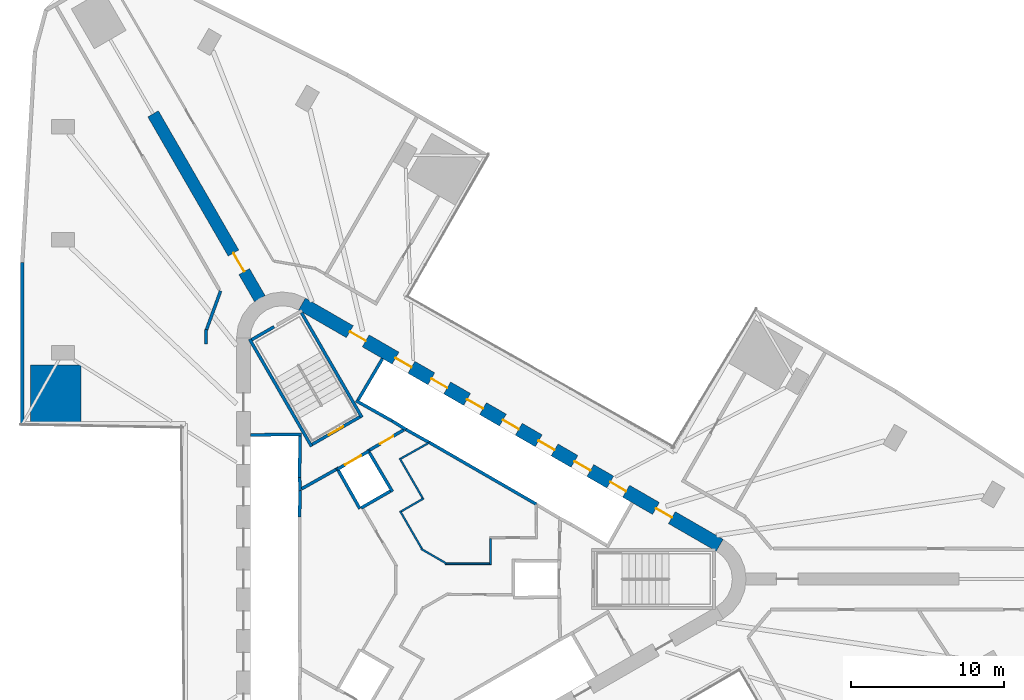
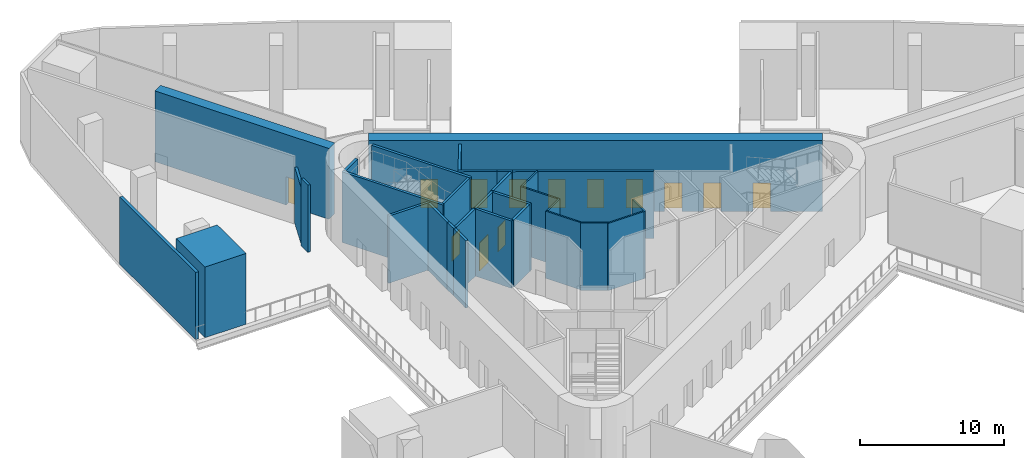
# One storey, part 5 of 11: 32 walls, 13 doors, 13 openings.
"""IFC4 building model written with IfcOpenShell, lengths in metres."""

from ifc_helpers import new_model, si_unit, direction, frame, frame_2d, origin, place, context, subcontext, project, spatial, polyline, rectangle, outline, extrude, material, layer, layer_set, type_object, element, fill, save


model = new_model("IFC4")

# Units and contexts
model_context = context("Model", 3, precision=1e-05, world=origin(), true_north=direction((0.0, 1.0)))
body_context = subcontext(model_context, "Body", "Model", "MODEL_VIEW")
ifc_project = project(units=[si_unit("LENGTHUNIT", "METRE"), si_unit("AREAUNIT", "SQUARE_METRE"), si_unit("VOLUMEUNIT", "CUBIC_METRE"), si_unit("PLANEANGLEUNIT", "RADIAN"), si_unit("MASSUNIT", "GRAM", prefix="KILO")], contexts=[model_context])

# Site, building, storey
site_placement = place(None, origin())
site = spatial("IfcSite", under=ifc_project, at=site_placement, CompositionType="ELEMENT")
building_placement = place(site_placement, origin())
building = spatial("IfcBuilding", under=site, at=building_placement, Name="Tanit Gate Tower", CompositionType="ELEMENT")
storey_placement = place(building_placement, frame((0.0, 0.0, 21.5)))
storey = spatial("IfcBuildingStorey", under=building, at=storey_placement, Name="L03", CompositionType="ELEMENT", Elevation=21.5)

# Wall, opening, door
ifc_material_1 = material(Name="Concrete C60/75", Category="concrete")
ifc_layer_1 = layer(ifc_material_1, 0.800048828125)
ifc_layer_set_1 = layer_set([ifc_layer_1], Name="BUTTRESS FIN 800 C60/75")
wall_type_1 = type_object("IfcWallType", Name="BUTTRESS FIN 800 C60/75", PredefinedType="SHEAR", material=ifc_layer_set_1)
wall_1_placement = place(storey_placement, frame((-10.574951171875, 18.31640625, 0.0), z_axis=(0.0, 0.0, 1.0), x_axis=(-0.499996575515, 0.866027380903, 0.0)))
wall_1 = element("IfcWall", 1, at=wall_1_placement, inside=storey, type_object=wall_type_1, Name="BUTTRESS FIN", PredefinedType="SHEAR", context=body_context, shape_type="SweptSolid", body=[
    extrude(rectangle(XDim=13.9541015625, YDim=0.800048828125, at=frame_2d((6.97705078125, 0.0))), origin(), (0.0, 0.0, 1.0), 6.0),
])
opening_1_placement = place(wall_1_placement, frame((2.050048828125, 0.0, 0.0)))
opening_1 = element("IfcOpeningElement", 2, at=opening_1_placement, cuts=wall_1, Name="Opening P14-03-F-NW-1", PredefinedType="OPENING", context=body_context, shape_type="SweptSolid", body=[
    extrude(rectangle(XDim=1.39990234375, YDim=2.39990234375, at=frame_2d((0.699951171875, 1.199951171875))), frame((0.0, 0.41015625, 0.0), z_axis=(0.0, -1.0, 0.0), x_axis=(1.0, 0.0, 0.0)), (0.0, 0.0, 1.0), 0.820068359375),
])
ifc_material_2 = material(Name="Timber door leaf", Category="wood")
door_type_1 = type_object("IfcDoorType", Name="INT-DOOR-FIN-PAIR-1400", OperationType="NOTDEFINED", PredefinedType="NOTDEFINED", material=ifc_material_2)
door_1_placement = place(opening_1_placement, origin())
door_1 = element("IfcDoor", 3, at=door_1_placement, inside=storey, type_object=door_type_1, Name="Door P14-03-F-NW-1", OperationType="DOUBLE_DOOR_SINGLE_SWING", OverallHeight=2.39990234375, OverallWidth=1.39990234375, PredefinedType="NOTDEFINED", context=body_context, shape_type="SweptSolid", body=[
    extrude(rectangle(XDim=1.39990234375, YDim=2.39990234375, at=frame_2d((0.699951171875, 1.199951171875))), frame((0.0, 0.02490234375, 0.0), z_axis=(0.0, -1.0, 0.0), x_axis=(1.0, 0.0, 0.0)), (0.0, 0.0, 1.0), 0.050048828125),
])
fill(opening_1, door_1)

# Wall, openings, doors
ifc_material_3 = material(Name="Concrete C60/75", Category="concrete")
ifc_layer_2 = layer(ifc_material_3, 0.89990234375)
ifc_layer_set_2 = layer_set([ifc_layer_2], Name="CORE WALL 900 C60/75")
wall_type_2 = type_object("IfcWallType", Name="CORE WALL 900 C60/75", PredefinedType="SHEAR", material=ifc_layer_set_2)
wall_2_placement = place(storey_placement, frame((19.47509765625, 2.20849609375, 0.0), z_axis=(0.0, 0.0, 1.0), x_axis=(-0.866028369851, 0.499994862586, 0.0)))
wall_2 = element("IfcWall", 4, at=wall_2_placement, inside=storey, type_object=wall_type_2, Name="CORE WALL", PredefinedType="SHEAR", context=body_context, shape_type="SweptSolid", body=[
    extrude(rectangle(XDim=31.523193359375, YDim=0.89990234375, at=frame_2d((15.76171875, 0.0))), origin(), (0.0, 0.0, 1.0), 6.0),
])
opening_2_placement = place(wall_2_placement, frame((7.0615234375, 0.0, 0.0)))
opening_2 = element("IfcOpeningElement", 5, at=opening_2_placement, cuts=wall_2, Name="Opening LDLL8-03", PredefinedType="OPENING", context=body_context, shape_type="SweptSolid", body=[
    extrude(rectangle(XDim=1.199951171875, YDim=2.39990234375, at=frame_2d((0.60009765625, 1.199951171875))), frame((0.0, 0.4599609375, 0.0), z_axis=(0.0, -1.0, 0.0), x_axis=(1.0, 0.0, 0.0)), (0.0, 0.0, 1.0), 0.919921875),
])
opening_3_placement = place(wall_2_placement, frame((9.76171875, 0.0, 0.0)))
opening_3 = element("IfcOpeningElement", 6, at=opening_3_placement, cuts=wall_2, Name="Opening LDLL9-03", PredefinedType="OPENING", context=body_context, shape_type="SweptSolid", body=[
    extrude(rectangle(XDim=1.199951171875, YDim=2.39990234375, at=frame_2d((0.60009765625, 1.199951171875))), frame((0.0, 0.4599609375, 0.0), z_axis=(0.0, -1.0, 0.0), x_axis=(1.0, 0.0, 0.0)), (0.0, 0.0, 1.0), 0.919921875),
])
opening_4_placement = place(wall_2_placement, frame((12.461669921875, 0.0, 0.0)))
opening_4 = element("IfcOpeningElement", 7, at=opening_4_placement, cuts=wall_2, Name="Opening LDLL10-03", PredefinedType="OPENING", context=body_context, shape_type="SweptSolid", body=[
    extrude(rectangle(XDim=1.199951171875, YDim=2.39990234375, at=frame_2d((0.60009765625, 1.199951171875))), frame((0.0, 0.4599609375, 0.0), z_axis=(0.0, -1.0, 0.0), x_axis=(1.0, 0.0, 0.0)), (0.0, 0.0, 1.0), 0.919921875),
])
opening_5_placement = place(wall_2_placement, frame((15.16162109375, 0.0, 0.0)))
opening_5 = element("IfcOpeningElement", 8, at=opening_5_placement, cuts=wall_2, Name="Opening LDSL1-03", PredefinedType="OPENING", context=body_context, shape_type="SweptSolid", body=[
    extrude(rectangle(XDim=1.199951171875, YDim=2.39990234375, at=frame_2d((0.60009765625, 1.199951171875))), frame((0.0, 0.4599609375, 0.0), z_axis=(0.0, -1.0, 0.0), x_axis=(1.0, 0.0, 0.0)), (0.0, 0.0, 1.0), 0.919921875),
])
opening_6_placement = place(wall_2_placement, frame((17.861572265625, 0.0, 0.0)))
opening_6 = element("IfcOpeningElement", 9, at=opening_6_placement, cuts=wall_2, Name="Opening LDSL2-03", PredefinedType="OPENING", context=body_context, shape_type="SweptSolid", body=[
    extrude(rectangle(XDim=1.199951171875, YDim=2.39990234375, at=frame_2d((0.60009765625, 1.199951171875))), frame((0.0, 0.4599609375, 0.0), z_axis=(0.0, -1.0, 0.0), x_axis=(1.0, 0.0, 0.0)), (0.0, 0.0, 1.0), 0.919921875),
])
opening_7_placement = place(wall_2_placement, frame((20.5615234375, 0.0, 0.0)))
opening_7 = element("IfcOpeningElement", 10, at=opening_7_placement, cuts=wall_2, Name="Opening LDSL3-03", PredefinedType="OPENING", context=body_context, shape_type="SweptSolid", body=[
    extrude(rectangle(XDim=1.199951171875, YDim=2.39990234375, at=frame_2d((0.60009765625, 1.199951171875))), frame((0.0, 0.4599609375, 0.0), z_axis=(0.0, -1.0, 0.0), x_axis=(1.0, 0.0, 0.0)), (0.0, 0.0, 1.0), 0.919921875),
])
opening_8_placement = place(wall_2_placement, frame((23.26171875, 0.0, 0.0)))
opening_8 = element("IfcOpeningElement", 11, at=opening_8_placement, cuts=wall_2, Name="Opening LDSL4-03", PredefinedType="OPENING", context=body_context, shape_type="SweptSolid", body=[
    extrude(rectangle(XDim=1.199951171875, YDim=2.39990234375, at=frame_2d((0.60009765625, 1.199951171875))), frame((0.0, 0.4599609375, 0.0), z_axis=(0.0, -1.0, 0.0), x_axis=(1.0, 0.0, 0.0)), (0.0, 0.0, 1.0), 0.919921875),
])
opening_9_placement = place(wall_2_placement, frame((3.611572265625, 0.0, 0.0)))
opening_9 = element("IfcOpeningElement", 12, at=opening_9_placement, cuts=wall_2, Name="Opening F12-03-FL1", PredefinedType="OPENING", context=body_context, shape_type="SweptSolid", body=[
    extrude(rectangle(XDim=1.199951171875, YDim=2.39990234375, at=frame_2d((0.60009765625, 1.199951171875))), frame((0.0, 0.4599609375, 0.0), z_axis=(0.0, -1.0, 0.0), x_axis=(1.0, 0.0, 0.0)), (0.0, 0.0, 1.0), 0.919921875),
])
opening_10_placement = place(wall_2_placement, frame((26.711669921875, 0.0, 0.0)))
opening_10 = element("IfcOpeningElement", 13, at=opening_10_placement, cuts=wall_2, Name="Opening F12-03-S2", PredefinedType="OPENING", context=body_context, shape_type="SweptSolid", body=[
    extrude(rectangle(XDim=1.199951171875, YDim=2.39990234375, at=frame_2d((0.60009765625, 1.199951171875))), frame((0.0, 0.4599609375, 0.0), z_axis=(0.0, -1.0, 0.0), x_axis=(1.0, 0.0, 0.0)), (0.0, 0.0, 1.0), 0.919921875),
])
ifc_material_4 = material(Name="Fire-rated steel door leaf", Category="steel")
door_type_2 = type_object("IfcDoorType", Name="INT-DOOR-FIRE-LOBBY-1200", OperationType="NOTDEFINED", PredefinedType="USERDEFINED", material=ifc_material_4)
door_2_placement = place(opening_9_placement, origin())
door_2 = element("IfcDoor", 14, at=door_2_placement, inside=storey, type_object=door_type_2, Name="Door F12-03-FL1", ObjectType="FIRE DOOR", OperationType="SINGLE_SWING_LEFT", OverallHeight=2.39990234375, OverallWidth=1.199951171875, PredefinedType="USERDEFINED", context=body_context, shape_type="SweptSolid", body=[
    extrude(rectangle(XDim=1.199951171875, YDim=2.39990234375, at=frame_2d((0.60009765625, 1.199951171875))), frame((0.0, 0.02490234375, 0.0), z_axis=(0.0, -1.0, 0.0), x_axis=(1.0, 0.0, 0.0)), (0.0, 0.0, 1.0), 0.050048828125),
])
fill(opening_9, door_2)
door_3_placement = place(opening_10_placement, origin())
door_3 = element("IfcDoor", 15, at=door_3_placement, inside=storey, type_object=door_type_2, Name="Door F12-03-S2", ObjectType="FIRE DOOR", OperationType="SINGLE_SWING_LEFT", OverallHeight=2.39990234375, OverallWidth=1.199951171875, PredefinedType="USERDEFINED", context=body_context, shape_type="SweptSolid", body=[
    extrude(rectangle(XDim=1.199951171875, YDim=2.39990234375, at=frame_2d((0.60009765625, 1.199951171875))), frame((0.0, 0.02490234375, 0.0), z_axis=(0.0, -1.0, 0.0), x_axis=(1.0, 0.0, 0.0)), (0.0, 0.0, 1.0), 0.050048828125),
])
fill(opening_10, door_3)
ifc_material_5 = material(Name="Stainless steel sliding door leaf", Category="steel")
door_type_3 = type_object("IfcDoorType", Name="INT-DOOR-LANDING-1200", OperationType="NOTDEFINED", PredefinedType="USERDEFINED", material=ifc_material_5)
door_4_placement = place(opening_2_placement, origin())
door_4 = element("IfcDoor", 16, at=door_4_placement, inside=storey, type_object=door_type_3, Name="Door LDLL8-03", ObjectType="LANDING DOOR", OperationType="SLIDING_TO_LEFT", OverallHeight=2.39990234375, OverallWidth=1.199951171875, PredefinedType="USERDEFINED", context=body_context, shape_type="SweptSolid", body=[
    extrude(rectangle(XDim=1.199951171875, YDim=2.39990234375, at=frame_2d((0.60009765625, 1.199951171875))), frame((0.0, 0.02490234375, 0.0), z_axis=(0.0, -1.0, 0.0), x_axis=(1.0, 0.0, 0.0)), (0.0, 0.0, 1.0), 0.050048828125),
])
fill(opening_2, door_4)
door_5_placement = place(opening_3_placement, origin())
door_5 = element("IfcDoor", 17, at=door_5_placement, inside=storey, type_object=door_type_3, Name="Door LDLL9-03", ObjectType="LANDING DOOR", OperationType="SLIDING_TO_LEFT", OverallHeight=2.39990234375, OverallWidth=1.199951171875, PredefinedType="USERDEFINED", context=body_context, shape_type="SweptSolid", body=[
    extrude(rectangle(XDim=1.199951171875, YDim=2.39990234375, at=frame_2d((0.60009765625, 1.199951171875))), frame((0.0, 0.02490234375, 0.0), z_axis=(0.0, -1.0, 0.0), x_axis=(1.0, 0.0, 0.0)), (0.0, 0.0, 1.0), 0.050048828125),
])
fill(opening_3, door_5)
door_6_placement = place(opening_4_placement, origin())
door_6 = element("IfcDoor", 18, at=door_6_placement, inside=storey, type_object=door_type_3, Name="Door LDLL10-03", ObjectType="LANDING DOOR", OperationType="SLIDING_TO_LEFT", OverallHeight=2.39990234375, OverallWidth=1.199951171875, PredefinedType="USERDEFINED", context=body_context, shape_type="SweptSolid", body=[
    extrude(rectangle(XDim=1.199951171875, YDim=2.39990234375, at=frame_2d((0.60009765625, 1.199951171875))), frame((0.0, 0.02490234375, 0.0), z_axis=(0.0, -1.0, 0.0), x_axis=(1.0, 0.0, 0.0)), (0.0, 0.0, 1.0), 0.050048828125),
])
fill(opening_4, door_6)
door_7_placement = place(opening_5_placement, origin())
door_7 = element("IfcDoor", 19, at=door_7_placement, inside=storey, type_object=door_type_3, Name="Door LDSL1-03", ObjectType="LANDING DOOR", OperationType="SLIDING_TO_LEFT", OverallHeight=2.39990234375, OverallWidth=1.199951171875, PredefinedType="USERDEFINED", context=body_context, shape_type="SweptSolid", body=[
    extrude(rectangle(XDim=1.199951171875, YDim=2.39990234375, at=frame_2d((0.60009765625, 1.199951171875))), frame((0.0, 0.02490234375, 0.0), z_axis=(0.0, -1.0, 0.0), x_axis=(1.0, 0.0, 0.0)), (0.0, 0.0, 1.0), 0.050048828125),
])
fill(opening_5, door_7)
door_8_placement = place(opening_6_placement, origin())
door_8 = element("IfcDoor", 20, at=door_8_placement, inside=storey, type_object=door_type_3, Name="Door LDSL2-03", ObjectType="LANDING DOOR", OperationType="SLIDING_TO_LEFT", OverallHeight=2.39990234375, OverallWidth=1.199951171875, PredefinedType="USERDEFINED", context=body_context, shape_type="SweptSolid", body=[
    extrude(rectangle(XDim=1.199951171875, YDim=2.39990234375, at=frame_2d((0.60009765625, 1.199951171875))), frame((0.0, 0.02490234375, 0.0), z_axis=(0.0, -1.0, 0.0), x_axis=(1.0, 0.0, 0.0)), (0.0, 0.0, 1.0), 0.050048828125),
])
fill(opening_6, door_8)
door_9_placement = place(opening_7_placement, origin())
door_9 = element("IfcDoor", 21, at=door_9_placement, inside=storey, type_object=door_type_3, Name="Door LDSL3-03", ObjectType="LANDING DOOR", OperationType="SLIDING_TO_LEFT", OverallHeight=2.39990234375, OverallWidth=1.199951171875, PredefinedType="USERDEFINED", context=body_context, shape_type="SweptSolid", body=[
    extrude(rectangle(XDim=1.199951171875, YDim=2.39990234375, at=frame_2d((0.60009765625, 1.199951171875))), frame((0.0, 0.02490234375, 0.0), z_axis=(0.0, -1.0, 0.0), x_axis=(1.0, 0.0, 0.0)), (0.0, 0.0, 1.0), 0.050048828125),
])
fill(opening_7, door_9)
door_10_placement = place(opening_8_placement, origin())
door_10 = element("IfcDoor", 22, at=door_10_placement, inside=storey, type_object=door_type_3, Name="Door LDSL4-03", ObjectType="LANDING DOOR", OperationType="SLIDING_TO_LEFT", OverallHeight=2.39990234375, OverallWidth=1.199951171875, PredefinedType="USERDEFINED", context=body_context, shape_type="SweptSolid", body=[
    extrude(rectangle(XDim=1.199951171875, YDim=2.39990234375, at=frame_2d((0.60009765625, 1.199951171875))), frame((0.0, 0.02490234375, 0.0), z_axis=(0.0, -1.0, 0.0), x_axis=(1.0, 0.0, 0.0)), (0.0, 0.0, 1.0), 0.050048828125),
])
fill(opening_8, door_10)

# Walls
ifc_material_6 = material(Name="Concrete C30/37 with bronze anodised aluminium cladding", Category="concrete")
ifc_layer_3 = layer(ifc_material_6, 0.239990234375)
ifc_layer_set_3 = layer_set([ifc_layer_3], Name="Facade wall bronze clad 240")
wall_type_3 = type_object("IfcWallType", Name="Facade wall bronze clad 240", PredefinedType="SOLIDWALL", material=ifc_layer_set_3)
wall_3_placement = place(storey_placement, frame((-26.10986328125, 20.685302734375, 0.0), z_axis=(0.0, 0.0, 1.0), x_axis=(6.9319284e-05, -0.999999997597, 0.0)))
element("IfcWall", 23, at=wall_3_placement, inside=storey, type_object=wall_type_3, Name="Bronze-clad facade wall L03 W2a", PredefinedType="SOLIDWALL", context=body_context, shape_type="SweptSolid", body=[
    extrude(rectangle(XDim=10.56591796875, YDim=0.239990234375, at=frame_2d((5.282958984375, 0.0))), origin(), (0.0, 0.0, 1.0), 5.699951171875),
])
ifc_material_7 = material(Name="Fire-rated gypsum board partition")
ifc_layer_4 = layer(ifc_material_7, 0.199951171875)
ifc_layer_set_4 = layer_set([ifc_layer_4], Name="INT-WALL-COMPARTMENT")
wall_type_4 = type_object("IfcWallType", Name="INT-WALL-COMPARTMENT", PredefinedType="PARTITIONING", material=ifc_layer_set_4)
wall_4_placement = place(storey_placement, frame((-5.600341796875, 7.16015625, 0.0), z_axis=(0.0, 0.0, 1.0), x_axis=(-0.871340486379, -0.490678873396, 0.0)))
element("IfcWall", 24, at=wall_4_placement, inside=storey, type_object=wall_type_4, Name="Wall Compartment W064", PredefinedType="PARTITIONING", context=body_context, shape_type="SweptSolid", body=[
    extrude(rectangle(XDim=2.580810546875, YDim=0.199951171875, at=frame_2d((1.29052734375, 0.0))), origin(), (0.0, 0.0, 1.0), 5.699951171875),
])

# Wall, opening, door
wall_5_placement = place(storey_placement, frame((-1.179443359375, 9.74462890625, 0.0), z_axis=(0.0, 0.0, 1.0), x_axis=(-0.860598681535, -0.509283721849, 0.0)))
wall_5 = element("IfcWall", 25, at=wall_5_placement, inside=storey, type_object=wall_type_4, Name="Wall Compartment W065", PredefinedType="PARTITIONING", context=body_context, shape_type="SweptSolid", body=[
    extrude(rectangle(XDim=2.5810546875, YDim=0.199951171875, at=frame_2d((1.29052734375, 0.0))), origin(), (0.0, 0.0, 1.0), 5.699951171875),
])
opening_11_placement = place(wall_5_placement, frame((0.79052734375, 0.0, 0.0)))
opening_11 = element("IfcOpeningElement", 26, at=opening_11_placement, cuts=wall_5, Name="Opening F10-03-05", PredefinedType="OPENING", context=body_context, shape_type="SweptSolid", body=[
    extrude(rectangle(XDim=1.0, YDim=2.10009765625, at=frame_2d((0.5, 1.050048828125))), frame((0.0, 0.10986328125, 0.0), z_axis=(0.0, -1.0, 0.0), x_axis=(1.0, 0.0, 0.0)), (0.0, 0.0, 1.0), 0.219970703125),
])
ifc_material_8 = material(Name="Fire-rated steel door leaf", Category="steel")
door_type_4 = type_object("IfcDoorType", Name="INT-DOOR-FIRE-1000", OperationType="NOTDEFINED", PredefinedType="USERDEFINED", material=ifc_material_8)
door_11_placement = place(opening_11_placement, origin())
door_11 = element("IfcDoor", 27, at=door_11_placement, inside=storey, type_object=door_type_4, Name="Door F10-03-05", ObjectType="FIRE DOOR", OperationType="SINGLE_SWING_LEFT", OverallHeight=2.10009765625, OverallWidth=1.0, PredefinedType="USERDEFINED", context=body_context, shape_type="SweptSolid", body=[
    extrude(rectangle(XDim=1.0, YDim=2.10009765625, at=frame_2d((0.5, 1.050048828125))), frame((0.0, 0.02490234375, 0.0), z_axis=(0.0, -1.0, 0.0), x_axis=(1.0, 0.0, 0.0)), (0.0, 0.0, 1.0), 0.050048828125),
])
fill(opening_11, door_11)

# Walls
wall_6_placement = place(storey_placement, frame((-14.10009765625, 16.293701171875, 0.0), z_axis=(0.0, 0.0, 1.0), x_axis=(0.0, -1.0, 0.0)))
element("IfcWall", 28, at=wall_6_placement, inside=storey, type_object=wall_type_4, Name="Wall Compartment W086", PredefinedType="PARTITIONING", context=body_context, shape_type="SweptSolid", body=[
    extrude(rectangle(XDim=0.92041015625, YDim=0.199951171875, at=frame_2d((0.460205078125, 0.0))), origin(), (0.0, 0.0, 1.0), 5.699951171875),
])
wall_7_placement = place(storey_placement, frame((-13.140625, 18.831298828125, 0.0), z_axis=(0.0, 0.0, 1.0), x_axis=(-0.34184444978, -0.939756549408, 0.0)))
element("IfcWall", 29, at=wall_7_placement, inside=storey, type_object=wall_type_4, Name="Wall Compartment W087", PredefinedType="PARTITIONING", context=body_context, shape_type="SweptSolid", body=[
    extrude(rectangle(XDim=2.706787109375, YDim=0.199951171875, at=frame_2d((1.353515625, 0.0))), origin(), (0.0, 0.0, 1.0), 4.780029296875),
])
ifc_material_9 = material(Name="Gypsum board partition")
ifc_layer_5 = layer(ifc_material_9, 0.1201171875)
ifc_layer_set_5 = layer_set([ifc_layer_5], Name="INT-WALL-PARTITION")
wall_type_5 = type_object("IfcWallType", Name="INT-WALL-PARTITION", PredefinedType="PARTITIONING", material=ifc_layer_set_5)
wall_8_placement = place(storey_placement, frame((4.5, 0.93994140625, 0.0), z_axis=(0.0, 0.0, 1.0), x_axis=(0.0, 1.0, 0.0)))
element("IfcWall", 30, at=wall_8_placement, inside=storey, type_object=wall_type_5, Name="Wall Partition W079", PredefinedType="PARTITIONING", context=body_context, shape_type="SweptSolid", body=[
    extrude(rectangle(XDim=1.699951171875, YDim=0.1201171875, at=frame_2d((0.85009765625, 0.0))), origin(), (0.0, 0.0, 1.0), 5.699951171875),
])
wall_9_placement = place(storey_placement, frame((1.54150390625, 1.0, 0.0), z_axis=(0.0, 0.0, 1.0), x_axis=(1.0, 0.0, 0.0)))
element("IfcWall", 31, at=wall_9_placement, inside=storey, type_object=wall_type_5, Name="Wall Partition W080", PredefinedType="PARTITIONING", context=body_context, shape_type="SweptSolid", body=[
    extrude(rectangle(XDim=2.8984375, YDim=0.1201171875, at=frame_2d((1.44921875, 0.0))), origin(), (0.0, 0.0, 1.0), 5.699951171875),
])
wall_10_placement = place(storey_placement, frame((-0.046630859375, 1.97705078125, 0.0), z_axis=(0.0, 0.0, 1.0), x_axis=(0.865998615205, -0.500046396311, 0.0)))
element("IfcWall", 32, at=wall_10_placement, inside=storey, type_object=wall_type_5, Name="Wall Partition W081", PredefinedType="PARTITIONING", context=body_context, shape_type="SweptSolid", body=[
    extrude(rectangle(XDim=1.935302734375, YDim=0.1201171875, at=frame_2d((0.9677734375, 0.0))), origin(), (0.0, 0.0, 1.0), 5.699951171875),
])
wall_11_placement = place(storey_placement, frame((-1.4140625, 4.448974609375, 0.0), z_axis=(0.0, 0.0, 1.0), x_axis=(0.500028961621, -0.866008682139, 0.0)))
element("IfcWall", 33, at=wall_11_placement, inside=storey, type_object=wall_type_5, Name="Wall Partition W082", PredefinedType="PARTITIONING", context=body_context, shape_type="SweptSolid", body=[
    extrude(rectangle(XDim=2.895751953125, YDim=0.1201171875, at=frame_2d((1.44775390625, 0.0))), origin(), (0.0, 0.0, 1.0), 5.699951171875),
])
wall_12_placement = place(storey_placement, frame((0.14013671875, 5.277099609375, 0.0), z_axis=(0.0, 0.0, 1.0), x_axis=(-0.865989465428, -0.500062241894, 0.0)))
element("IfcWall", 34, at=wall_12_placement, inside=storey, type_object=wall_type_5, Name="Wall Partition W083", PredefinedType="PARTITIONING", context=body_context, shape_type="SweptSolid", body=[
    extrude(rectangle(XDim=1.699951171875, YDim=0.1201171875, at=frame_2d((0.85009765625, 0.0))), origin(), (0.0, 0.0, 1.0), 5.699951171875),
])
wall_13_placement = place(storey_placement, frame((-1.441650390625, 7.897216796875, 0.0), z_axis=(0.0, 0.0, 1.0), x_axis=(0.499990139034, -0.866031096941, 0.0)))
element("IfcWall", 35, at=wall_13_placement, inside=storey, type_object=wall_type_5, Name="Wall Partition W084", PredefinedType="PARTITIONING", context=body_context, shape_type="SweptSolid", body=[
    extrude(rectangle(XDim=3.0, YDim=0.1201171875, at=frame_2d((1.5, 0.0))), origin(), (0.0, 0.0, 1.0), 5.699951171875),
])
wall_14_placement = place(storey_placement, frame((0.475341796875, 8.9052734375, 0.0), z_axis=(0.0, 0.0, 1.0), x_axis=(-0.871832572129, -0.489804007921, 0.0)))
element("IfcWall", 36, at=wall_14_placement, inside=storey, type_object=wall_type_5, Name="Wall Partition W085", PredefinedType="PARTITIONING", context=body_context, shape_type="SweptSolid", body=[
    extrude(rectangle(XDim=2.1044921875, YDim=0.1201171875, at=frame_2d((1.05224609375, 0.0))), origin(), (0.0, 0.0, 1.0), 5.699951171875),
])
ifc_material_10 = material(Name="Gypsum shaft wall system")
ifc_layer_6 = layer(ifc_material_10, 0.199951171875)
ifc_layer_set_6 = layer_set([ifc_layer_6], Name="INT-WALL-SHAFT")
wall_type_6 = type_object("IfcWallType", Name="INT-WALL-SHAFT", PredefinedType="PLUMBINGWALL", material=ifc_layer_set_6)
wall_15_placement = place(storey_placement, frame((-11.199951171875, 9.419921875, 0.0), z_axis=(0.0, 0.0, 1.0), x_axis=(0.999957167047, 0.009255488683, 0.0)))
element("IfcWall", 37, at=wall_15_placement, inside=storey, type_object=wall_type_6, Name="Wall Shaft W001", PredefinedType="PLUMBINGWALL", context=body_context, shape_type="SweptSolid", body=[
    extrude(rectangle(XDim=3.35009765625, YDim=0.199951171875, at=frame_2d((1.675048828125, 0.0))), origin(), (0.0, 0.0, 1.0), 5.699951171875),
])
wall_16_placement = place(storey_placement, frame((-7.951171875, 9.35009765625, 0.0), z_axis=(0.0, 0.0, 1.0), x_axis=(-0.011120469654, -0.999938165666, 0.0)))
element("IfcWall", 38, at=wall_16_placement, inside=storey, type_object=wall_type_6, Name="Wall Shaft W002", PredefinedType="PLUMBINGWALL", context=body_context, shape_type="SweptSolid", body=[
    extrude(rectangle(XDim=2.700439453125, YDim=0.199951171875, at=frame_2d((1.35009765625, 0.0))), origin(), (0.0, 0.0, 1.0), 5.699951171875),
])
wall_17_placement = place(storey_placement, frame((7.497314453125, 4.885986328125, 0.0), z_axis=(0.0, 0.0, 1.0), x_axis=(-0.866030989016, 0.499990325971, 0.0)))
element("IfcWall", 39, at=wall_17_placement, inside=storey, type_object=wall_type_6, Name="Wall Shaft W003", PredefinedType="PLUMBINGWALL", context=body_context, shape_type="SweptSolid", body=[
    extrude(rectangle(XDim=8.099853515625, YDim=0.199951171875, at=frame_2d((4.0498046875, 0.0))), origin(), (0.0, 0.0, 1.0), 5.699951171875),
])
wall_18_placement = place(storey_placement, frame((-7.97705078125, 6.650146484375, 0.0), z_axis=(0.0, 0.0, 1.0), x_axis=(0.030861509705, -0.999523670164, 0.0)))
element("IfcWall", 40, at=wall_18_placement, inside=storey, type_object=wall_type_6, Name="Wall Shaft W004", PredefinedType="PLUMBINGWALL", context=body_context, shape_type="SweptSolid", body=[
    extrude(rectangle(XDim=0.878173828125, YDim=0.199951171875, at=frame_2d((0.43896484375, 0.0))), origin(), (0.0, 0.0, 1.0), 5.699951171875),
])
wall_19_placement = place(storey_placement, frame((-7.948974609375, 5.894287109375, 0.0), z_axis=(0.0, 0.0, 1.0), x_axis=(-0.016809909365, -0.999858703491, 0.0)))
element("IfcWall", 41, at=wall_19_placement, inside=storey, type_object=wall_type_6, Name="Wall Shaft W005", PredefinedType="PLUMBINGWALL", context=body_context, shape_type="SweptSolid", body=[
    extrude(rectangle(XDim=1.844482421875, YDim=0.199951171875, at=frame_2d((0.92236328125, 0.0))), origin(), (0.0, 0.0, 1.0), 5.699951171875),
])
wall_20_placement = place(storey_placement, frame((-1.940673828125, 10.338623046875, 0.0), z_axis=(0.0, 0.0, 1.0), x_axis=(0.850216889117, -0.526432561171, 0.0)))
element("IfcWall", 42, at=wall_20_placement, inside=storey, type_object=wall_type_6, Name="Wall Shaft W019", PredefinedType="PLUMBINGWALL", context=body_context, shape_type="SweptSolid", body=[
    extrude(rectangle(XDim=1.078369140625, YDim=0.199951171875, at=frame_2d((0.5390625, 0.0))), origin(), (0.0, 0.0, 1.0), 5.699951171875),
])
wall_21_placement = place(storey_placement, frame((0.478271484375, 8.928466796875, 0.0), z_axis=(0.0, 0.0, 1.0), x_axis=(-0.871988740738, 0.489525929882, 0.0)))
element("IfcWall", 43, at=wall_21_placement, inside=storey, type_object=wall_type_6, Name="Wall Shaft W020", PredefinedType="PLUMBINGWALL", context=body_context, shape_type="SweptSolid", body=[
    extrude(rectangle(XDim=1.8447265625, YDim=0.199951171875, at=frame_2d((0.92236328125, 0.0))), origin(), (0.0, 0.0, 1.0), 5.699951171875),
])
wall_22_placement = place(storey_placement, frame((-4.296142578125, 11.658935546875, 0.0), z_axis=(0.0, 0.0, 1.0), x_axis=(0.871534483978, -0.490334215854, 0.0)))
element("IfcWall", 44, at=wall_22_placement, inside=storey, type_object=wall_type_6, Name="Wall Shaft W021", PredefinedType="PLUMBINGWALL", context=body_context, shape_type="SweptSolid", body=[
    extrude(rectangle(XDim=2.7001953125, YDim=0.199951171875, at=frame_2d((1.35009765625, 0.0))), origin(), (0.0, 0.0, 1.0), 5.699951171875),
])
wall_23_placement = place(storey_placement, frame((-4.158203125, 11.696044921875, 0.0), z_axis=(0.0, 0.0, 1.0), x_axis=(0.508018930956, 0.861345903683, 0.0)))
element("IfcWall", 45, at=wall_23_placement, inside=storey, type_object=wall_type_6, Name="Wall Shaft W022", PredefinedType="PLUMBINGWALL", context=body_context, shape_type="SweptSolid", body=[
    extrude(rectangle(XDim=3.150146484375, YDim=0.199951171875, at=frame_2d((1.5751953125, 0.0))), origin(), (0.0, 0.0, 1.0), 5.699951171875),
])

# Wall, opening, door
wall_24_placement = place(storey_placement, frame((-5.524169921875, 7.168212890625, 0.0), z_axis=(0.0, 0.0, 1.0), x_axis=(0.866024647952, 0.500001309137, 0.0)))
wall_24 = element("IfcWall", 46, at=wall_24_placement, inside=storey, type_object=wall_type_6, Name="Wall Shaft W047", PredefinedType="PLUMBINGWALL", context=body_context, shape_type="SweptSolid", body=[
    extrude(rectangle(XDim=2.39990234375, YDim=0.199951171875, at=frame_2d((1.199951171875, 0.0))), origin(), (0.0, 0.0, 1.0), 5.699951171875),
])
opening_12_placement = place(wall_24_placement, frame((0.60009765625, 0.0, 0.0)))
opening_12 = element("IfcOpeningElement", 47, at=opening_12_placement, cuts=wall_24, Name="Opening LDFL2-L03", PredefinedType="OPENING", context=body_context, shape_type="SweptSolid", body=[
    extrude(rectangle(XDim=1.199951171875, YDim=2.39990234375, at=frame_2d((0.60009765625, 1.199951171875))), frame((0.0, 0.10986328125, 0.0), z_axis=(0.0, -1.0, 0.0), x_axis=(1.0, 0.0, 0.0)), (0.0, 0.0, 1.0), 0.219970703125),
])
door_12_placement = place(opening_12_placement, origin())
door_12 = element("IfcDoor", 48, at=door_12_placement, inside=storey, type_object=door_type_3, Name="Door LDFL2-L03", ObjectType="LANDING DOOR", OperationType="SLIDING_TO_LEFT", OverallHeight=2.39990234375, OverallWidth=1.199951171875, PredefinedType="USERDEFINED", context=body_context, shape_type="SweptSolid", body=[
    extrude(rectangle(XDim=1.199951171875, YDim=2.39990234375, at=frame_2d((0.60009765625, 1.199951171875))), frame((0.0, 0.02490234375, 0.0), z_axis=(0.0, -1.0, 0.0), x_axis=(1.0, 0.0, 0.0)), (0.0, 0.0, 1.0), 0.050048828125),
])
fill(opening_12, door_12)

# Walls
wall_25_placement = place(storey_placement, frame((-4.039306640625, 4.59619140625, 0.0), z_axis=(0.0, 0.0, 1.0), x_axis=(-0.491322718731, 0.870977603649, 0.0)))
element("IfcWall", 49, at=wall_25_placement, inside=storey, type_object=wall_type_6, Name="Wall Shaft W048", PredefinedType="PLUMBINGWALL", context=body_context, shape_type="SweptSolid", body=[
    extrude(rectangle(XDim=3.10009765625, YDim=0.199951171875, at=frame_2d((1.550048828125, 0.0))), origin(), (0.0, 0.0, 1.0), 5.699951171875),
])
wall_26_placement = place(storey_placement, frame((-3.53759765625, 8.46533203125, 0.0), z_axis=(0.0, 0.0, 1.0), x_axis=(0.508616218331, -0.860993346345, 0.0)))
element("IfcWall", 50, at=wall_26_placement, inside=storey, type_object=wall_type_6, Name="Wall Shaft W049", PredefinedType="PLUMBINGWALL", context=body_context, shape_type="SweptSolid", body=[
    extrude(rectangle(XDim=3.2001953125, YDim=0.199951171875, at=frame_2d((1.60009765625, 0.0))), origin(), (0.0, 0.0, 1.0), 5.699951171875),
])
wall_27_placement = place(storey_placement, frame((-2.04736328125, 5.74609375, 0.0), z_axis=(0.0, 0.0, 1.0), x_axis=(-0.866019606374, -0.500010041276, 0.0)))
element("IfcWall", 51, at=wall_27_placement, inside=storey, type_object=wall_type_6, Name="Wall Shaft W050", PredefinedType="PLUMBINGWALL", context=body_context, shape_type="SweptSolid", body=[
    extrude(rectangle(XDim=2.20458984375, YDim=0.199951171875, at=frame_2d((1.102294921875, 0.0))), origin(), (0.0, 0.0, 1.0), 5.699951171875),
])
ifc_material_11 = material(Name="Concrete C40/50", Category="concrete")
ifc_layer_7 = layer(ifc_material_11, 0.199951171875)
ifc_layer_set_7 = layer_set([ifc_layer_7], Name="INT-WALL-STAIR")
wall_type_7 = type_object("IfcWallType", Name="INT-WALL-STAIR", PredefinedType="SHEAR", material=ifc_layer_set_7)
wall_28_placement = place(storey_placement, frame((-11.245361328125, 15.677734375, -0.300048828125), z_axis=(0.0, 0.0, 1.0), x_axis=(0.499977274689, -0.866038523851, 0.0)))
element("IfcWall", 52, at=wall_28_placement, inside=storey, type_object=wall_type_7, Name="Wall Stair W042", PredefinedType="SHEAR", context=body_context, shape_type="SweptSolid", body=[
    extrude(rectangle(XDim=8.10009765625, YDim=0.199951171875, at=frame_2d((4.050048828125, 0.0))), origin(), (0.0, 0.0, 1.0), 6.0),
])
wall_29_placement = place(storey_placement, frame((-9.645263671875, 16.486083984375, -0.300048828125), z_axis=(0.0, 0.0, 1.0), x_axis=(-0.866038843867, -0.499976720371, 0.0)))
element("IfcWall", 53, at=wall_29_placement, inside=storey, type_object=wall_type_7, Name="Wall Stair W043", PredefinedType="SHEAR", context=body_context, shape_type="SweptSolid", body=[
    extrude(rectangle(XDim=1.68994140625, YDim=0.199951171875, at=frame_2d((0.844970703125, 0.0))), origin(), (0.0, 0.0, 1.0), 6.0),
])
wall_30_placement = place(storey_placement, frame((-7.8544921875, 17.404541015625, -0.300048828125), z_axis=(0.0, 0.0, 1.0), x_axis=(0.499997992926, -0.866026562566, 0.0)))
element("IfcWall", 54, at=wall_30_placement, inside=storey, type_object=wall_type_7, Name="Wall Stair W045", PredefinedType="SHEAR", context=body_context, shape_type="SweptSolid", body=[
    extrude(rectangle(XDim=7.89990234375, YDim=0.199951171875, at=frame_2d((3.949951171875, 0.0))), origin(), (0.0, 0.0, 1.0), 6.0),
])

# Wall, opening, door
wall_31_placement = place(storey_placement, frame((-7.158935546875, 8.799560546875, -0.300048828125), z_axis=(0.0, 0.0, 1.0), x_axis=(0.866047807691, 0.499961193289, 0.0)))
wall_31 = element("IfcWall", 55, at=wall_31_placement, inside=storey, type_object=wall_type_7, Name="Wall Stair W046", PredefinedType="SHEAR", context=body_context, shape_type="SweptSolid", body=[
    extrude(rectangle(XDim=3.599853515625, YDim=0.199951171875, at=frame_2d((1.7998046875, 0.0))), origin(), (0.0, 0.0, 1.0), 6.0),
])
opening_13_placement = place(wall_31_placement, frame((1.25, 0.0, 0.300048828125)))
opening_13 = element("IfcOpeningElement", 56, at=opening_13_placement, cuts=wall_31, Name="Opening S11-03-04", PredefinedType="OPENING", context=body_context, shape_type="SweptSolid", body=[
    extrude(rectangle(XDim=1.10009765625, YDim=2.10009765625, at=frame_2d((0.550048828125, 1.050048828125))), frame((0.0, 0.10986328125, 0.0), z_axis=(0.0, -1.0, 0.0), x_axis=(1.0, 0.0, 0.0)), (0.0, 0.0, 1.0), 0.219970703125),
])
ifc_material_12 = material(Name="Timber door leaf", Category="wood")
door_type_5 = type_object("IfcDoorType", Name="INT-DOOR-STAIR-1100", OperationType="NOTDEFINED", PredefinedType="USERDEFINED", material=ifc_material_12)
door_13_placement = place(opening_13_placement, origin())
door_13 = element("IfcDoor", 57, at=door_13_placement, inside=storey, type_object=door_type_5, Name="Door S11-03-04", ObjectType="FIRE DOOR", OperationType="SINGLE_SWING_LEFT", OverallHeight=2.10009765625, OverallWidth=1.10009765625, PredefinedType="USERDEFINED", context=body_context, shape_type="SweptSolid", body=[
    extrude(rectangle(XDim=1.10009765625, YDim=2.10009765625, at=frame_2d((0.550048828125, 1.050048828125))), frame((0.0, 0.02490234375, 0.0), z_axis=(0.0, -1.0, 0.0), x_axis=(1.0, 0.0, 0.0)), (0.0, 0.0, 1.0), 0.050048828125),
])
fill(opening_13, door_13)

# Wall
ifc_material_13 = material(Name="Concrete C60/75", Category="concrete")
ifc_layer_8 = layer(ifc_material_13, 4.0)
ifc_layer_set_8 = layer_set([ifc_layer_8], Name="PIER WALL 4000 C60/75")
wall_type_8 = type_object("IfcWallType", Name="PIER WALL 4000 C60/75", PredefinedType="SHEAR", material=ifc_layer_set_8)
wall_32_placement = place(storey_placement, origin())
element("IfcWall", 58, at=wall_32_placement, inside=storey, type_object=wall_type_8, Name="PIER WALL", PredefinedType="SHEAR", context=body_context, shape_type="SweptSolid", body=[
    extrude(outline(polyline([(-25.553466796875, 14.0), (-25.553466796875, 10.0), (-22.25341796875, 10.0), (-22.25341796875, 14.0), (-25.553466796875, 14.0)])), origin(), (0.0, 0.0, 1.0), 6.0),
])

save(model, "model.ifc")
